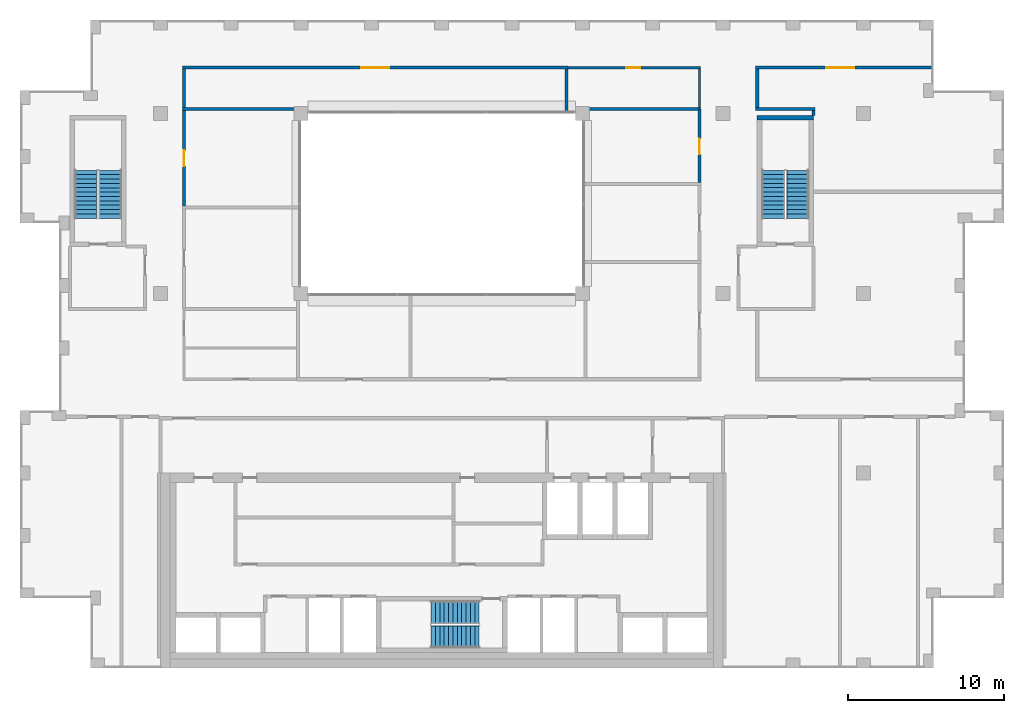
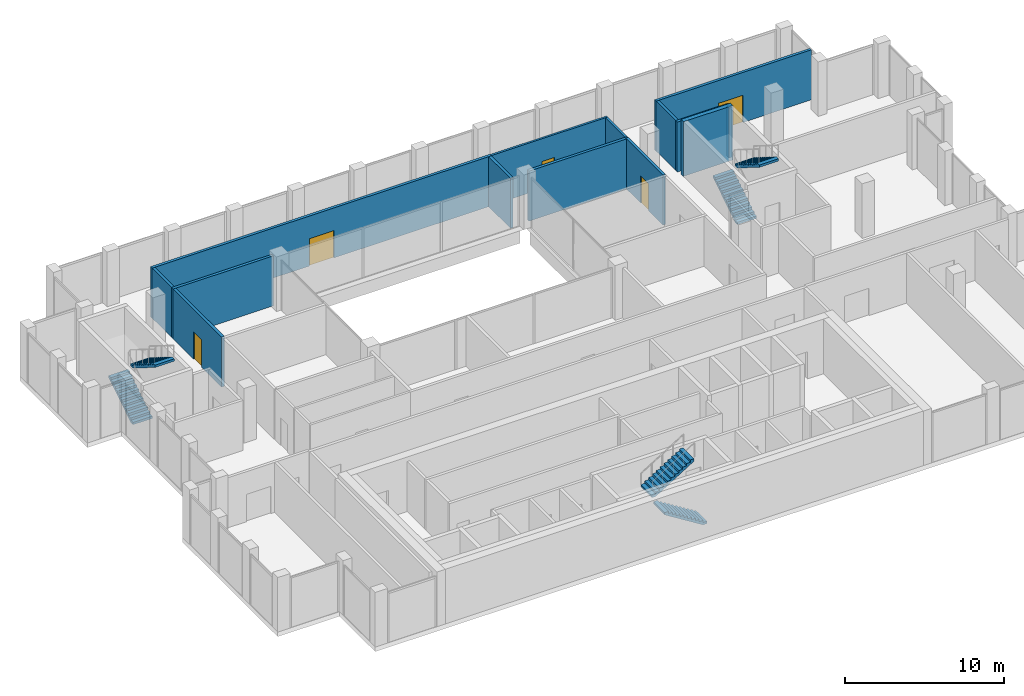
# One storey, part 13 of 15: 14 walls, 6 stair flights, 5 doors, 5 openings, 3 elements without a shape of their own.
"""IFC4 building model written with IfcOpenShell, lengths in metres."""

from ifc_helpers import new_model, si_unit, direction, frame, frame_2d, origin, place, context, subcontext, project, spatial, polyline, rectangle, outline, extrude, material, layer, layer_set, type_object, element, fill, aggregate, save


model = new_model("IFC4")

# Units and contexts
model_context = context("Model", 3, precision=1e-05, world=origin(), true_north=direction((0.0, 1.0)))
body_context = subcontext(model_context, "Body", "Model", "MODEL_VIEW")
ifc_project = project(units=[si_unit("LENGTHUNIT", "METRE"), si_unit("AREAUNIT", "SQUARE_METRE"), si_unit("VOLUMEUNIT", "CUBIC_METRE"), si_unit("PLANEANGLEUNIT", "RADIAN"), si_unit("MASSUNIT", "GRAM", prefix="KILO")], contexts=[model_context])

# Site, building, storey
site_placement = place(None, origin())
site = spatial("IfcSite", under=ifc_project, at=site_placement, CompositionType="ELEMENT")
building_placement = place(site_placement, origin())
building = spatial("IfcBuilding", under=site, at=building_placement, Name="Brigalow Station Residences", CompositionType="ELEMENT")
storey_placement = place(building_placement, frame((0.0, 0.0, 235.800048828125)))
storey = spatial("IfcBuildingStorey", under=building, at=storey_placement, Name="L68", CompositionType="ELEMENT", Elevation=235.800048828125)

# Walls
ifc_material_1 = material(Name="Concrete C50", Category="concrete")
ifc_layer_1 = layer(ifc_material_1, 0.300048828125)
ifc_layer_set_1 = layer_set([ifc_layer_1], Name="CORE SHEAR WALL 300 C50")
wall_type_1 = type_object("IfcWallType", Name="CORE SHEAR WALL 300 C50", PredefinedType="SHEAR", material=ifc_layer_set_1)
wall_1_placement = place(storey_placement, frame((56.199951171875, 35.25, 0.0), z_axis=(0.0, 0.0, 1.0), x_axis=(1.0, 0.0, 0.0)))
element("IfcWall", 1, at=wall_1_placement, inside=storey, type_object=wall_type_1, Name="CORE WALL ST-S3-N L68", PredefinedType="SHEAR", context=body_context, shape_type="SweptSolid", body=[
    extrude(rectangle(XDim=3.60009765625, YDim=0.300048828125, at=frame_2d((1.800048828125, 0.0))), origin(), (0.0, 0.0, 1.0), 4.199951171875),
])
ifc_material_2 = material(Name="Concrete blockwork", Category="masonry")
ifc_layer_2 = layer(ifc_material_2, 0.199951171875)
ifc_layer_set_2 = layer_set([ifc_layer_2], Name="FIRE RATED CORE PARTITION 200")
wall_type_2 = type_object("IfcWallType", Name="FIRE RATED CORE PARTITION 200", PredefinedType="PARTITIONING", material=ifc_layer_set_2)
wall_2_placement = place(storey_placement, frame((19.39990234375, 35.800048828125, 0.0), z_axis=(0.0, 0.0, 1.0), x_axis=(1.0, 0.0, 0.0)))
element("IfcWall", 2, at=wall_2_placement, inside=storey, type_object=wall_type_2, Name="PW-5310", PredefinedType="PARTITIONING", context=body_context, shape_type="SweptSolid", body=[
    extrude(rectangle(XDim=7.300048828125, YDim=0.199951171875, at=frame_2d((3.64990234375, 0.0))), origin(), (0.0, 0.0, 1.0), 3.849853515625),
])
wall_3_placement = place(storey_placement, frame((45.300048828125, 35.800048828125, 0.0), z_axis=(0.0, 0.0, 1.0), x_axis=(1.0, 0.0, 0.0)))
element("IfcWall", 3, at=wall_3_placement, inside=storey, type_object=wall_type_2, Name="PW-5311", PredefinedType="PARTITIONING", context=body_context, shape_type="SweptSolid", body=[
    extrude(rectangle(XDim=7.27490234375, YDim=0.199951171875, at=frame_2d((3.637451171875, 0.0))), origin(), (0.0, 0.0, 1.0), 3.849853515625),
])
wall_4_placement = place(storey_placement, frame((56.10009765625, 35.800048828125, 0.0), z_axis=(0.0, 0.0, 1.0), x_axis=(1.0, 0.0, 0.0)))
element("IfcWall", 4, at=wall_4_placement, inside=storey, type_object=wall_type_2, Name="PW-5312", PredefinedType="PARTITIONING", context=body_context, shape_type="SweptSolid", body=[
    extrude(rectangle(XDim=3.7998046875, YDim=0.199951171875, at=frame_2d((1.89990234375, 0.0))), origin(), (0.0, 0.0, 1.0), 3.849853515625),
])

# Wall, opening, door
wall_5_placement = place(storey_placement, frame((19.39990234375, 38.449951171875, 0.0), z_axis=(0.0, 0.0, 1.0), x_axis=(1.0, 0.0, 0.0)))
wall_5 = element("IfcWall", 5, at=wall_5_placement, inside=storey, type_object=wall_type_2, Name="PW-5313", PredefinedType="PARTITIONING", context=body_context, shape_type="SweptSolid", body=[
    extrude(rectangle(XDim=24.7001953125, YDim=0.199951171875, at=frame_2d((12.35009765625, 0.0))), origin(), (0.0, 0.0, 1.0), 3.849853515625),
])
opening_1_placement = place(wall_5_placement, frame((11.449951171875, 0.0, 0.0)))
opening_1 = element("IfcOpeningElement", 6, at=opening_1_placement, cuts=wall_5, Name="Opening D-5163", PredefinedType="OPENING", context=body_context, shape_type="SweptSolid", body=[
    extrude(rectangle(XDim=1.800048828125, YDim=2.10009765625, at=frame_2d((0.89990234375, 1.050048828125))), frame((0.0, 0.10986328125, 0.0), z_axis=(0.0, -1.0, 0.0), x_axis=(1.0, 0.0, 0.0)), (0.0, 0.0, 1.0), 0.219970703125),
])
ifc_material_3 = material(Name="Steel fire door leaf in steel frame", Category="steel")
door_type_1 = type_object("IfcDoorType", Name="PLANT ROOM DOOR 1800 x 2100 FD60", OperationType="DOUBLE_DOOR_SINGLE_SWING", PredefinedType="DOOR", material=ifc_material_3)
door_1_placement = place(opening_1_placement, frame((1.800048828125, 0.0, 0.0), z_axis=(0.0, 0.0, 1.0), x_axis=(-1.0, 0.0, 0.0)))
door_1 = element("IfcDoor", 7, at=door_1_placement, inside=storey, type_object=door_type_1, Name="D-5163", OperationType="DOUBLE_DOOR_SINGLE_SWING", OverallHeight=2.10009765625, OverallWidth=1.800048828125, PredefinedType="DOOR", context=body_context, shape_type="SweptSolid", body=[
    extrude(rectangle(XDim=1.800048828125, YDim=2.10009765625, at=frame_2d((0.89990234375, 1.050048828125))), frame((0.0, 0.02490234375, 0.0), z_axis=(0.0, -1.0, 0.0), x_axis=(1.0, 0.0, 0.0)), (0.0, 0.0, 1.0), 0.050048828125),
])
fill(opening_1, door_1)

wall_6_placement = place(storey_placement, frame((56.10009765625, 38.449951171875, 0.0), z_axis=(0.0, 0.0, 1.0), x_axis=(1.0, 0.0, 0.0)))
wall_6 = element("IfcWall", 8, at=wall_6_placement, inside=storey, type_object=wall_type_2, Name="PW-5314", PredefinedType="PARTITIONING", context=body_context, shape_type="SweptSolid", body=[
    extrude(rectangle(XDim=11.306884765625, YDim=0.199951171875, at=frame_2d((5.6533203125, 0.0))), origin(), (0.0, 0.0, 1.0), 3.849853515625),
])
opening_2_placement = place(wall_6_placement, frame((4.52490234375, 0.0, 0.0)))
opening_2 = element("IfcOpeningElement", 9, at=opening_2_placement, cuts=wall_6, Name="Opening D-5162", PredefinedType="OPENING", context=body_context, shape_type="SweptSolid", body=[
    extrude(rectangle(XDim=1.800048828125, YDim=2.10009765625, at=frame_2d((0.89990234375, 1.050048828125))), frame((0.0, 0.10986328125, 0.0), z_axis=(0.0, -1.0, 0.0), x_axis=(1.0, 0.0, 0.0)), (0.0, 0.0, 1.0), 0.219970703125),
])
door_2_placement = place(opening_2_placement, frame((1.800048828125, 0.0, 0.0), z_axis=(0.0, 0.0, 1.0), x_axis=(-1.0, 0.0, 0.0)))
door_2 = element("IfcDoor", 10, at=door_2_placement, inside=storey, type_object=door_type_1, Name="D-5162", OperationType="DOUBLE_DOOR_SINGLE_SWING", OverallHeight=2.10009765625, OverallWidth=1.800048828125, PredefinedType="DOOR", context=body_context, shape_type="SweptSolid", body=[
    extrude(rectangle(XDim=1.800048828125, YDim=2.10009765625, at=frame_2d((0.89990234375, 1.050048828125))), frame((0.0, 0.02490234375, 0.0), z_axis=(0.0, -1.0, 0.0), x_axis=(1.0, 0.0, 0.0)), (0.0, 0.0, 1.0), 0.050048828125),
])
fill(opening_2, door_2)

wall_7_placement = place(storey_placement, frame((19.5, 29.60009765625, 0.0), z_axis=(0.0, 0.0, 1.0), x_axis=(0.0, 1.0, 0.0)))
wall_7 = element("IfcWall", 11, at=wall_7_placement, inside=storey, type_object=wall_type_2, Name="PW-5327", PredefinedType="PARTITIONING", context=body_context, shape_type="SweptSolid", body=[
    extrude(rectangle(XDim=6.099853515625, YDim=0.199951171875, at=frame_2d((3.0498046875, 0.0))), origin(), (0.0, 0.0, 1.0), 3.849853515625),
])
opening_3_placement = place(wall_7_placement, frame((2.550048828125, 0.0, 0.0)))
opening_3 = element("IfcOpeningElement", 12, at=opening_3_placement, cuts=wall_7, Name="Opening D-5156", PredefinedType="OPENING", context=body_context, shape_type="SweptSolid", body=[
    extrude(rectangle(XDim=1.0, YDim=2.10009765625, at=frame_2d((0.5, 1.050048828125))), frame((0.0, 0.10986328125, 0.0), z_axis=(0.0, -1.0, 0.0), x_axis=(1.0, 0.0, 0.0)), (0.0, 0.0, 1.0), 0.219970703125),
])
ifc_material_4 = material(Name="Steel fire door leaf in steel frame", Category="steel")
door_type_2 = type_object("IfcDoorType", Name="PLANT ROOM DOOR 1000 x 2100 FD60", OperationType="SINGLE_SWING_LEFT", PredefinedType="DOOR", material=ifc_material_4)
door_3_placement = place(opening_3_placement, frame((1.0, 0.0, 0.0), z_axis=(0.0, 0.0, 1.0), x_axis=(-1.0, 0.0, 0.0)))
door_3 = element("IfcDoor", 13, at=door_3_placement, inside=storey, type_object=door_type_2, Name="D-5156", OperationType="SINGLE_SWING_RIGHT", OverallHeight=2.10009765625, OverallWidth=1.0, PredefinedType="DOOR", context=body_context, shape_type="SweptSolid", body=[
    extrude(rectangle(XDim=1.0, YDim=2.10009765625, at=frame_2d((0.5, 1.050048828125))), frame((0.0, 0.02490234375, 0.0), z_axis=(0.0, -1.0, 0.0), x_axis=(1.0, 0.0, 0.0)), (0.0, 0.0, 1.0), 0.050048828125),
])
fill(opening_3, door_3)

wall_8_placement = place(storey_placement, frame((52.5, 31.10009765625, 0.0), z_axis=(0.0, 0.0, 1.0), x_axis=(0.0, 1.0, 0.0)))
wall_8 = element("IfcWall", 14, at=wall_8_placement, inside=storey, type_object=wall_type_2, Name="PW-5328", PredefinedType="PARTITIONING", context=body_context, shape_type="SweptSolid", body=[
    extrude(rectangle(XDim=4.699951171875, YDim=0.199951171875, at=frame_2d((2.35009765625, 0.0))), origin(), (0.0, 0.0, 1.0), 3.849853515625),
])
opening_4_placement = place(wall_8_placement, frame((1.800048828125, 0.0, 0.0)))
opening_4 = element("IfcOpeningElement", 15, at=opening_4_placement, cuts=wall_8, Name="Opening D-5159", PredefinedType="OPENING", context=body_context, shape_type="SweptSolid", body=[
    extrude(rectangle(XDim=1.0, YDim=2.10009765625, at=frame_2d((0.5, 1.050048828125))), frame((0.0, 0.10986328125, 0.0), z_axis=(0.0, -1.0, 0.0), x_axis=(1.0, 0.0, 0.0)), (0.0, 0.0, 1.0), 0.219970703125),
])
door_4_placement = place(opening_4_placement, origin())
door_4 = element("IfcDoor", 16, at=door_4_placement, inside=storey, type_object=door_type_2, Name="D-5159", OperationType="SINGLE_SWING_RIGHT", OverallHeight=2.10009765625, OverallWidth=1.0, PredefinedType="DOOR", context=body_context, shape_type="SweptSolid", body=[
    extrude(rectangle(XDim=1.0, YDim=2.10009765625, at=frame_2d((0.5, 1.050048828125))), frame((0.0, 0.02490234375, 0.0), z_axis=(0.0, -1.0, 0.0), x_axis=(1.0, 0.0, 0.0)), (0.0, 0.0, 1.0), 0.050048828125),
])
fill(opening_4, door_4)

# Walls
wall_9_placement = place(storey_placement, frame((59.800048828125, 35.39990234375, 0.0), z_axis=(0.0, 0.0, 1.0), x_axis=(0.0, 1.0, 0.0)))
element("IfcWall", 17, at=wall_9_placement, inside=storey, type_object=wall_type_2, Name="PW-5329", PredefinedType="PARTITIONING", context=body_context, shape_type="SweptSolid", body=[
    extrude(rectangle(XDim=0.300048828125, YDim=0.199951171875, at=frame_2d((0.14990234375, 0.0))), origin(), (0.0, 0.0, 1.0), 3.849853515625),
])
wall_10_placement = place(storey_placement, frame((44.0, 35.595947265625, 0.0), z_axis=(0.0, 0.0, 1.0), x_axis=(0.0, 1.0, 0.0)))
element("IfcWall", 18, at=wall_10_placement, inside=storey, type_object=wall_type_2, Name="PW-5330", PredefinedType="PARTITIONING", context=body_context, shape_type="SweptSolid", body=[
    extrude(rectangle(XDim=2.754150390625, YDim=0.199951171875, at=frame_2d((1.376953125, 0.0))), origin(), (0.0, 0.0, 1.0), 3.849853515625),
])
for number, where, z_axis, x_axis, name in (
    (19, (19.5, 35.89990234375, 0.0), (0.0, 0.0, 1.0), (0.0, 1.0, 0.0), "PW-5331"),
    (20, (56.199951171875, 35.89990234375, 0.0), (0.0, 0.0, 1.0), (0.0, 1.0, 0.0), "PW-5333"),
):
    element("IfcWall", number, at=place(storey_placement, frame(where, z_axis=z_axis, x_axis=x_axis)), inside=storey, type_object=wall_type_2, Name=name, PredefinedType="PARTITIONING", context=body_context, shape_type="SweptSolid", body=[
        extrude(rectangle(XDim=2.4501953125, YDim=0.199951171875, at=frame_2d((1.22509765625, 0.0))), origin(), (0.0, 0.0, 1.0), 3.849853515625),
    ])

# Wall, opening, door
ifc_material_5 = material(Name="Plasterboard on steel studs", Category="steel")
ifc_layer_3 = layer(ifc_material_5, 0.14990234375)
ifc_layer_set_3 = layer_set([ifc_layer_3], Name="SERVICE ROOM PARTITION 150")
wall_type_3 = type_object("IfcWallType", Name="SERVICE ROOM PARTITION 150", PredefinedType="PARTITIONING", material=ifc_layer_set_3)
wall_11_placement = place(storey_placement, frame((44.10009765625, 38.449951171875, 0.0), z_axis=(0.0, 0.0, 1.0), x_axis=(1.0, 0.0, 0.0)))
wall_11 = element("IfcWall", 21, at=wall_11_placement, inside=storey, type_object=wall_type_3, Name="PW-5315", PredefinedType="PARTITIONING", context=body_context, shape_type="SweptSolid", body=[
    extrude(rectangle(XDim=8.474853515625, YDim=0.14990234375, at=frame_2d((4.2373046875, 0.0))), origin(), (0.0, 0.0, 1.0), 3.849853515625),
])
opening_5_placement = place(wall_11_placement, frame((3.699951171875, 0.0, 0.0)))
opening_5 = element("IfcOpeningElement", 22, at=opening_5_placement, cuts=wall_11, Name="Opening D-5164", PredefinedType="OPENING", context=body_context, shape_type="SweptSolid", body=[
    extrude(rectangle(XDim=0.89990234375, YDim=2.10009765625, at=frame_2d((0.449951171875, 1.050048828125))), frame((0.0, 0.0849609375, 0.0), z_axis=(0.0, -1.0, 0.0), x_axis=(1.0, 0.0, 0.0)), (0.0, 0.0, 1.0), 0.169921875),
])
ifc_material_6 = material(Name="Steel door leaf in steel frame", Category="steel")
door_type_3 = type_object("IfcDoorType", Name="SERVICE ROOM DOOR 900 x 2100 FD60", OperationType="SINGLE_SWING_LEFT", PredefinedType="DOOR", material=ifc_material_6)
door_5_placement = place(opening_5_placement, frame((0.89990234375, 0.0, 0.0), z_axis=(0.0, 0.0, 1.0), x_axis=(-1.0, 0.0, 0.0)))
door_5 = element("IfcDoor", 23, at=door_5_placement, inside=storey, type_object=door_type_3, Name="D-5164", OperationType="SINGLE_SWING_RIGHT", OverallHeight=2.10009765625, OverallWidth=0.89990234375, PredefinedType="DOOR", context=body_context, shape_type="SweptSolid", body=[
    extrude(rectangle(XDim=0.89990234375, YDim=2.10009765625, at=frame_2d((0.449951171875, 1.050048828125))), frame((0.0, 0.02490234375, 0.0), z_axis=(0.0, -1.0, 0.0), x_axis=(1.0, 0.0, 0.0)), (0.0, 0.0, 1.0), 0.050048828125),
])
fill(opening_5, door_5)

# Wall
wall_12_placement = place(storey_placement, frame((52.5, 35.89990234375, 0.0), z_axis=(0.0, 0.0, 1.0), x_axis=(0.0, 1.0, 0.0)))
element("IfcWall", 24, at=wall_12_placement, inside=storey, type_object=wall_type_3, Name="PW-5332", PredefinedType="PARTITIONING", context=body_context, shape_type="SweptSolid", body=[
    extrude(rectangle(XDim=2.47509765625, YDim=0.14990234375, at=frame_2d((1.237548828125, 0.0))), origin(), (0.0, 0.0, 1.0), 3.849853515625),
])

# Stair, stair flights
ifc_material_7 = material(Name="Concrete C50", Category="concrete")
stair_type = type_object("IfcStairType", Name="EXIT STAIR 1400 2 FLIGHT", PredefinedType="HALF_TURN_STAIR", material=ifc_material_7)
stair_1_placement = place(storey_placement, origin())
stair_1 = element("IfcStair", 25, at=stair_1_placement, inside=storey, type_object=stair_type, Name="EXIT STAIR S2 L68", PredefinedType="HALF_TURN_STAIR")
ifc_material_8 = material(Name="Concrete C50", Category="concrete")
stair_flight_type = type_object("IfcStairFlightType", Name="STAIR FLIGHT 1400", PredefinedType="STRAIGHT", material=ifc_material_8)
stair_flight_1_placement = place(storey_placement, frame((38.39990234375, 2.0, 0.0), z_axis=(0.0, 0.0, 1.0), x_axis=(-1.0, 0.0, 0.0)))
stair_flight_1 = element("IfcStairFlight", 26, at=stair_flight_1_placement, type_object=stair_flight_type, Name="ST-2 flight 1", NumberOfRisers=12, NumberOfTreads=11, PredefinedType="STRAIGHT", RiserHeight=0.175, TreadLength=0.28, context=body_context, shape_type="SweptSolid", body=[
    extrude(outline(polyline([(0.0, 0.0), (0.0, 0.175048828125), (0.280029296875, 0.175048828125), (0.280029296875, 0.35009765625), (0.56005859375, 0.35009765625), (0.56005859375, 0.52490234375), (0.840087890625, 0.52490234375), (0.840087890625, 0.699951171875), (1.1201171875, 0.699951171875), (1.1201171875, 0.875), (1.39990234375, 0.875), (1.39990234375, 1.050048828125), (1.679931640625, 1.050048828125), (1.679931640625, 1.22509765625), (1.9599609375, 1.22509765625), (1.9599609375, 1.39990234375), (2.239990234375, 1.39990234375), (2.239990234375, 1.574951171875), (2.52001953125, 1.574951171875), (2.52001953125, 1.75), (2.800048828125, 1.75), (2.800048828125, 1.925048828125), (3.080078125, 1.925048828125), (3.080078125, 2.10009765625), (3.080078125, 1.748291015625), (0.28271484375, 0.0), (0.0, 0.0)])), frame((0.0, 0.699951171875, 0.0), z_axis=(0.0, -1.0, 0.0), x_axis=(1.0, 0.0, 0.0)), (0.0, 0.0, 1.0), 1.39990234375),
])
stair_flight_2_placement = place(storey_placement, frame((35.320068359375, 3.60009765625, 2.099853515625), z_axis=(0.0, 0.0, 1.0), x_axis=(1.0, 0.0, 0.0)))
stair_flight_2 = element("IfcStairFlight", 27, at=stair_flight_2_placement, type_object=stair_flight_type, Name="ST-2 flight 2", NumberOfRisers=12, NumberOfTreads=11, PredefinedType="STRAIGHT", RiserHeight=0.175, TreadLength=0.28, context=body_context, shape_type="SweptSolid", body=[
    extrude(outline(polyline([(0.0, 0.0), (0.0, 0.175048828125), (0.280029296875, 0.175048828125), (0.280029296875, 0.35009765625), (0.56005859375, 0.35009765625), (0.56005859375, 0.52490234375), (0.840087890625, 0.52490234375), (0.840087890625, 0.699951171875), (1.1201171875, 0.699951171875), (1.1201171875, 0.875), (1.39990234375, 0.875), (1.39990234375, 1.050048828125), (1.679931640625, 1.050048828125), (1.679931640625, 1.22509765625), (1.9599609375, 1.22509765625), (1.9599609375, 1.39990234375), (2.239990234375, 1.39990234375), (2.239990234375, 1.574951171875), (2.52001953125, 1.574951171875), (2.52001953125, 1.75), (2.800048828125, 1.75), (2.800048828125, 1.925048828125), (3.080078125, 1.925048828125), (3.080078125, 2.10009765625), (3.080078125, 1.748291015625), (0.28271484375, 0.0), (0.0, 0.0)])), frame((0.0, 0.699951171875, 0.0), z_axis=(0.0, -1.0, 0.0), x_axis=(1.0, 0.0, 0.0)), (0.0, 0.0, 1.0), 1.39990234375),
])
aggregate(stair_1, [stair_flight_1, stair_flight_2])

stair_2_placement = place(storey_placement, origin())
stair_2 = element("IfcStair", 28, at=stair_2_placement, inside=storey, type_object=stair_type, Name="EXIT STAIR S1 L68", PredefinedType="HALF_TURN_STAIR")
stair_flight_3_placement = place(storey_placement, frame((13.199951171875, 28.800048828125, 0.0), z_axis=(0.0, 0.0, 1.0), x_axis=(0.0, 1.0, 0.0)))
stair_flight_3 = element("IfcStairFlight", 29, at=stair_flight_3_placement, type_object=stair_flight_type, Name="ST-1 flight 1", NumberOfRisers=12, NumberOfTreads=11, PredefinedType="STRAIGHT", RiserHeight=0.175, TreadLength=0.28, context=body_context, shape_type="SweptSolid", body=[
    extrude(outline(polyline([(0.0, 0.0), (0.0, 0.175048828125), (0.280029296875, 0.175048828125), (0.280029296875, 0.35009765625), (0.56005859375, 0.35009765625), (0.56005859375, 0.52490234375), (0.840087890625, 0.52490234375), (0.840087890625, 0.699951171875), (1.1201171875, 0.699951171875), (1.1201171875, 0.875), (1.39990234375, 0.875), (1.39990234375, 1.050048828125), (1.679931640625, 1.050048828125), (1.679931640625, 1.22509765625), (1.9599609375, 1.22509765625), (1.9599609375, 1.39990234375), (2.239990234375, 1.39990234375), (2.239990234375, 1.574951171875), (2.52001953125, 1.574951171875), (2.52001953125, 1.75), (2.800048828125, 1.75), (2.800048828125, 1.925048828125), (3.080078125, 1.925048828125), (3.080078125, 2.10009765625), (3.080078125, 1.748291015625), (0.28271484375, 0.0), (0.0, 0.0)])), frame((0.0, 0.699951171875, 0.0), z_axis=(0.0, -1.0, 0.0), x_axis=(1.0, 0.0, 0.0)), (0.0, 0.0, 1.0), 1.39990234375),
])
stair_flight_4_placement = place(storey_placement, frame((14.800048828125, 31.8798828125, 2.099853515625), z_axis=(0.0, 0.0, 1.0), x_axis=(0.0, -1.0, 0.0)))
stair_flight_4 = element("IfcStairFlight", 30, at=stair_flight_4_placement, type_object=stair_flight_type, Name="ST-1 flight 2", NumberOfRisers=12, NumberOfTreads=11, PredefinedType="STRAIGHT", RiserHeight=0.175, TreadLength=0.28, context=body_context, shape_type="SweptSolid", body=[
    extrude(outline(polyline([(0.0, 0.0), (0.0, 0.175048828125), (0.280029296875, 0.175048828125), (0.280029296875, 0.35009765625), (0.56005859375, 0.35009765625), (0.56005859375, 0.52490234375), (0.840087890625, 0.52490234375), (0.840087890625, 0.699951171875), (1.1201171875, 0.699951171875), (1.1201171875, 0.875), (1.39990234375, 0.875), (1.39990234375, 1.050048828125), (1.679931640625, 1.050048828125), (1.679931640625, 1.22509765625), (1.9599609375, 1.22509765625), (1.9599609375, 1.39990234375), (2.239990234375, 1.39990234375), (2.239990234375, 1.574951171875), (2.52001953125, 1.574951171875), (2.52001953125, 1.75), (2.800048828125, 1.75), (2.800048828125, 1.925048828125), (3.080078125, 1.925048828125), (3.080078125, 2.10009765625), (3.080078125, 1.748291015625), (0.28271484375, 0.0), (0.0, 0.0)])), frame((0.0, 0.699951171875, 0.0), z_axis=(0.0, -1.0, 0.0), x_axis=(1.0, 0.0, 0.0)), (0.0, 0.0, 1.0), 1.39990234375),
])
aggregate(stair_2, [stair_flight_3, stair_flight_4])

stair_3_placement = place(storey_placement, origin())
stair_3 = element("IfcStair", 31, at=stair_3_placement, inside=storey, type_object=stair_type, Name="EXIT STAIR S3 L68", PredefinedType="HALF_TURN_STAIR")
stair_flight_5_placement = place(storey_placement, frame((57.199951171875, 28.800048828125, 0.0), z_axis=(0.0, 0.0, 1.0), x_axis=(0.0, 1.0, 0.0)))
stair_flight_5 = element("IfcStairFlight", 32, at=stair_flight_5_placement, type_object=stair_flight_type, Name="ST-3 flight 1", NumberOfRisers=12, NumberOfTreads=11, PredefinedType="STRAIGHT", RiserHeight=0.175, TreadLength=0.28, context=body_context, shape_type="SweptSolid", body=[
    extrude(outline(polyline([(0.0, 0.0), (0.0, 0.175048828125), (0.280029296875, 0.175048828125), (0.280029296875, 0.35009765625), (0.56005859375, 0.35009765625), (0.56005859375, 0.52490234375), (0.840087890625, 0.52490234375), (0.840087890625, 0.699951171875), (1.1201171875, 0.699951171875), (1.1201171875, 0.875), (1.39990234375, 0.875), (1.39990234375, 1.050048828125), (1.679931640625, 1.050048828125), (1.679931640625, 1.22509765625), (1.9599609375, 1.22509765625), (1.9599609375, 1.39990234375), (2.239990234375, 1.39990234375), (2.239990234375, 1.574951171875), (2.52001953125, 1.574951171875), (2.52001953125, 1.75), (2.800048828125, 1.75), (2.800048828125, 1.925048828125), (3.080078125, 1.925048828125), (3.080078125, 2.10009765625), (3.080078125, 1.748291015625), (0.28271484375, 0.0), (0.0, 0.0)])), frame((0.0, 0.699951171875, 0.0), z_axis=(0.0, -1.0, 0.0), x_axis=(1.0, 0.0, 0.0)), (0.0, 0.0, 1.0), 1.39990234375),
])
stair_flight_6_placement = place(storey_placement, frame((58.800048828125, 31.8798828125, 2.099853515625), z_axis=(0.0, 0.0, 1.0), x_axis=(0.0, -1.0, 0.0)))
stair_flight_6 = element("IfcStairFlight", 33, at=stair_flight_6_placement, type_object=stair_flight_type, Name="ST-3 flight 2", NumberOfRisers=12, NumberOfTreads=11, PredefinedType="STRAIGHT", RiserHeight=0.175, TreadLength=0.28, context=body_context, shape_type="SweptSolid", body=[
    extrude(outline(polyline([(0.0, 0.0), (0.0, 0.175048828125), (0.280029296875, 0.175048828125), (0.280029296875, 0.35009765625), (0.56005859375, 0.35009765625), (0.56005859375, 0.52490234375), (0.840087890625, 0.52490234375), (0.840087890625, 0.699951171875), (1.1201171875, 0.699951171875), (1.1201171875, 0.875), (1.39990234375, 0.875), (1.39990234375, 1.050048828125), (1.679931640625, 1.050048828125), (1.679931640625, 1.22509765625), (1.9599609375, 1.22509765625), (1.9599609375, 1.39990234375), (2.239990234375, 1.39990234375), (2.239990234375, 1.574951171875), (2.52001953125, 1.574951171875), (2.52001953125, 1.75), (2.800048828125, 1.75), (2.800048828125, 1.925048828125), (3.080078125, 1.925048828125), (3.080078125, 2.10009765625), (3.080078125, 1.748291015625), (0.28271484375, 0.0), (0.0, 0.0)])), frame((0.0, 0.699951171875, 0.0), z_axis=(0.0, -1.0, 0.0), x_axis=(1.0, 0.0, 0.0)), (0.0, 0.0, 1.0), 1.39990234375),
])
aggregate(stair_3, [stair_flight_5, stair_flight_6])

save(model, "model.ifc")
